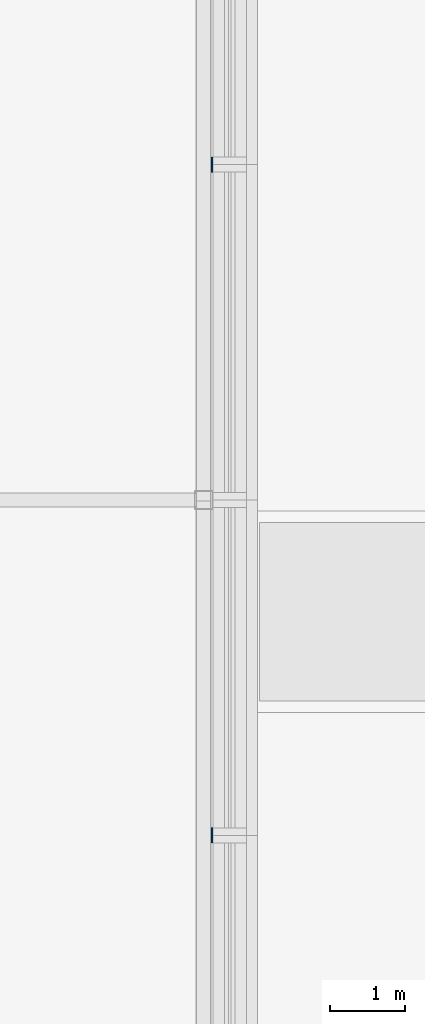
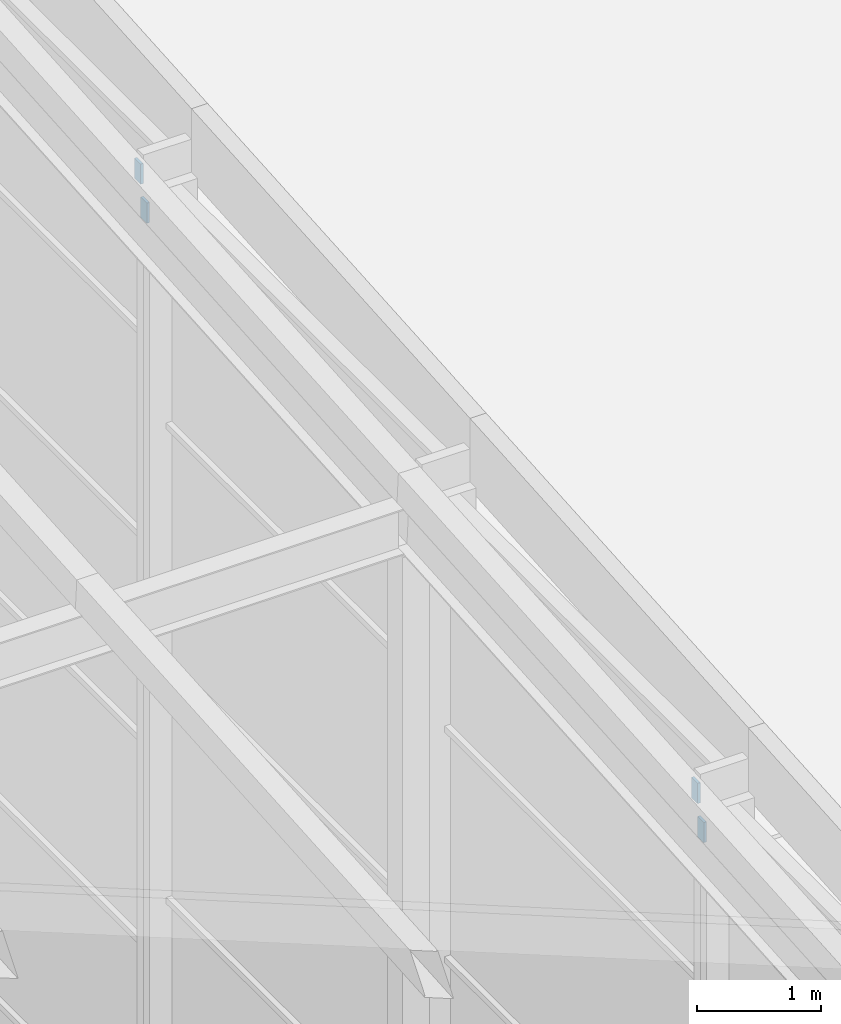
# One storey, part 70 of 84: 4 discrete accessories.
"""IFC4 building model written with IfcOpenShell, lengths in metres."""

import ifcopenshell
import ifcopenshell.guid

model = None  # the IFC model being written
_history = None  # IfcOwnerHistory: only IFC2X3 demands one
_inside = {}  # id of a spatial element -> (the spatial element, [elements in it])
_under = {}  # id of a project, library or spatial element -> (it, [spatial elements below it])
_declared = {}  # id of a project -> (the project, [libraries it declares])
_typed = {}  # id of a type object -> (the type object, [elements of that type])
_made_of = {}  # id of a material, layer set ... -> (it, [elements and type objects made of it])


def new_model(schema):
    """Start an empty IFC model of exactly this schema.

    Asked for "IFC4X3", IfcOpenShell would pick the latest addendum, in which some entities
    have other attributes; the version numbers below select the first issue.
    IFC2X3 requires an IfcOwnerHistory on every rooted entity: one is made here for all.
    """
    global model, _history
    if schema == "IFC4X3":
        model = ifcopenshell.file(schema_version=(4, 3, 0, 0))
    else:
        model = ifcopenshell.file(schema=schema)
    _inside.clear()
    _under.clear()
    _declared.clear()
    _typed.clear()
    _made_of.clear()
    _history = None
    if model.schema == "IFC2X3":
        org = make("IfcOrganization", Name="unknown")
        user = make(
            "IfcPersonAndOrganization",
            ThePerson=make("IfcPerson", FamilyName="unknown"),
            TheOrganization=org,
        )
        app = make(
            "IfcApplication",
            ApplicationDeveloper=org,
            Version="unknown",
            ApplicationFullName="unknown",
            ApplicationIdentifier="unknown",
        )
        _history = make(
            "IfcOwnerHistory",
            OwningUser=user,
            OwningApplication=app,
            ChangeAction="ADDED",
            CreationDate=0,
        )
    return model


def make(cls, **values):
    """One entity of the class cls with the attributes given. An attribute that is None is left unset."""
    return model.create_entity(
        cls, **{name: value for name, value in values.items() if value is not None}
    )


def rooted(cls, **values):
    """An entity with a GlobalId (a new one), such as an element, a storey or a relation."""
    return make(cls, GlobalId=ifcopenshell.guid.new(), OwnerHistory=_history, **values)


def si_unit(unit_type, name, prefix=None):
    """IfcSIUnit, for example si_unit("LENGTHUNIT", "METRE", prefix="MILLI")."""
    return make("IfcSIUnit", UnitType=unit_type, Prefix=prefix, Name=name)


def assignment(units):
    """IfcUnitAssignment: the units of a project."""
    return None if units is None else make("IfcUnitAssignment", Units=units)


def point(xyz):
    """IfcCartesianPoint."""
    return None if xyz is None else make("IfcCartesianPoint", Coordinates=xyz)


def direction(xyz):
    """IfcDirection."""
    return None if xyz is None else make("IfcDirection", DirectionRatios=xyz)


def frame(location, z_axis=None, x_axis=None):
    """IfcAxis2Placement3D, a coordinate frame: its origin and axes. An axis left out is left unset."""
    return make(
        "IfcAxis2Placement3D",
        Location=point(location),
        Axis=direction(z_axis),
        RefDirection=direction(x_axis),
    )


def frame_2d(location, x_axis=None):
    """IfcAxis2Placement2D, a coordinate frame in the plane: its origin and x axis."""
    return make(
        "IfcAxis2Placement2D", Location=point(location), RefDirection=direction(x_axis)
    )


def origin():
    """The frame at (0, 0, 0) with its axes left unset."""
    return frame((0.0, 0.0, 0.0))


def origin_2d():
    """The frame at (0, 0) in the plane with its x axis left unset."""
    return frame_2d((0.0, 0.0))


def place(relative_to, where):
    """IfcLocalPlacement: puts the frame where relative to a parent placement (None: the world)."""
    return make(
        "IfcLocalPlacement", PlacementRelTo=relative_to, RelativePlacement=where
    )


def context(
    kind, dimensions, precision=None, world=None, true_north=None, identifier=None
):
    """IfcGeometricRepresentationContext, for example the 3D "Model" context."""
    return make(
        "IfcGeometricRepresentationContext",
        ContextIdentifier=identifier,
        ContextType=kind,
        CoordinateSpaceDimension=dimensions,
        Precision=precision,
        WorldCoordinateSystem=world,
        TrueNorth=true_north,
    )


def subcontext(parent, identifier, kind, view, scale=None):
    """IfcGeometricRepresentationSubContext, for example "Body" below "Model"."""
    return make(
        "IfcGeometricRepresentationSubContext",
        ContextIdentifier=identifier,
        ContextType=kind,
        ParentContext=parent,
        TargetScale=scale,
        TargetView=view,
    )


def project(units=None, contexts=None):
    """IfcProject with its units and contexts."""
    return rooted(
        "IfcProject",
        Name="project",
        RepresentationContexts=contexts,
        UnitsInContext=assignment(units),
    )


def spatial(cls, under=None, at=None, **own):
    """A site, building, storey or space (cls), placed at a placement, below another one or the project."""
    s = rooted(cls, ObjectPlacement=at, **own)
    if under is not None:
        _under.setdefault(under.id(), (under, []))[1].append(s)
    return s


def profile(cls, at=None, kind="AREA", **sizes):
    """A parametric profile (cls). Its sizes go by their IFC names, for example OverallWidth=200.0."""
    return make(cls, ProfileType=kind, Position=at, **sizes)


def rectangle(**sizes):
    """IfcRectangleProfileDef."""
    return profile("IfcRectangleProfileDef", **sizes)


def extrude(swept, where, along, depth):
    """IfcExtrudedAreaSolid: the profile swept, set in the frame where, extruded along a direction by depth."""
    return make(
        "IfcExtrudedAreaSolid",
        SweptArea=swept,
        Position=where,
        ExtrudedDirection=direction(along),
        Depth=depth,
    )


def shape(context_of_items, identifier, shape_type, items):
    """IfcShapeRepresentation: the items that make up one representation, for example the "Body"."""
    return make(
        "IfcShapeRepresentation",
        ContextOfItems=context_of_items,
        RepresentationIdentifier=identifier,
        RepresentationType=shape_type,
        Items=items,
    )


def material(Name=None, Category=None):
    """IfcMaterial."""
    return make("IfcMaterial", Name=Name, Category=Category)


def made_of(thing, what):
    """Note that an element or type object is made of a material, layer set ...; save() writes the relation."""
    if what is not None:
        _made_of.setdefault(what.id(), (what, []))[1].append(thing)
    return thing


def type_object(cls, material=None, **own):
    """A type object (cls), such as IfcWallType, which elements share."""
    return made_of(rooted(cls, **own), material)


def element(
    cls,
    number,
    at=None,
    inside=None,
    cuts=None,
    type_object=None,
    material=None,
    context=None,
    identifier="Body",
    shape_type=None,
    held_by="IfcProductDefinitionShape",
    body=None,
    shapes=None,
    **own,
):
    """One element of the class cls, such as IfcWall. Its Tag is "e" and its number.

    at: its placement. inside: the storey or other place that contains it. cuts: it is an
    opening in that element (IfcRelVoidsElement). A single representation is given by context,
    identifier, shape_type and body (its items); several are given by shapes. held_by: the class
    of the entity that holds the representations. save() writes the other relations.
    """
    e = rooted(cls, Tag="e%d" % number, ObjectPlacement=at, **own)
    if body is not None:
        shapes = [shape(context, identifier, shape_type, body)]
    if shapes is not None:
        e.Representation = make(held_by, Representations=shapes)
    if inside is not None:
        _inside.setdefault(inside.id(), (inside, []))[1].append(e)
    if cuts is not None:
        rooted(
            "IfcRelVoidsElement", RelatingBuildingElement=cuts, RelatedOpeningElement=e
        )
    if type_object is not None:
        _typed.setdefault(type_object.id(), (type_object, []))[1].append(e)
    return made_of(e, material)


def aggregate(whole, parts):
    """IfcRelAggregates: a whole, such as a stair, and the parts it consists of."""
    return rooted("IfcRelAggregates", RelatingObject=whole, RelatedObjects=parts)


def save(model, path):
    """Write the relations noted so far, then the file.

    IfcRelAggregates (storeys below a building ...), IfcRelContainedInSpatialStructure (elements
    in a storey), IfcRelDefinesByType, IfcRelAssociatesMaterial and IfcRelDeclares: one each for
    every whole, place, type object, material and project.
    """
    for whole, parts in _under.values():
        aggregate(whole, parts)
    for where, things in _inside.values():
        rooted(
            "IfcRelContainedInSpatialStructure",
            RelatedElements=things,
            RelatingStructure=where,
        )
    for kind, things in _typed.values():
        rooted("IfcRelDefinesByType", RelatedObjects=things, RelatingType=kind)
    for what, things in _made_of.values():
        rooted("IfcRelAssociatesMaterial", RelatedObjects=things, RelatingMaterial=what)
    for by, libraries in _declared.values():
        rooted("IfcRelDeclares", RelatingContext=by, RelatedDefinitions=libraries)
    model.write(path)


model = new_model("IFC4")

# Units and contexts
model_context = context("Model", 3, precision=1e-05, world=origin(), true_north=direction((0.0, 1.0)))
body_context = subcontext(model_context, "Body", "Model", "MODEL_VIEW")
ifc_project = project(units=[si_unit("LENGTHUNIT", "METRE"), si_unit("AREAUNIT", "SQUARE_METRE"), si_unit("VOLUMEUNIT", "CUBIC_METRE"), si_unit("PLANEANGLEUNIT", "RADIAN"), si_unit("MASSUNIT", "GRAM", prefix="KILO")], contexts=[model_context])

# Site, building, storey
site_placement = place(None, origin())
site = spatial("IfcSite", under=ifc_project, at=site_placement, CompositionType="ELEMENT")
building_placement = place(site_placement, origin())
building = spatial("IfcBuilding", under=site, at=building_placement, Name="Silverbay Arena", CompositionType="ELEMENT")
storey_placement = place(building_placement, frame((0.0, 0.0, 47.10009765625)))
storey = spatial("IfcBuildingStorey", under=building, at=storey_placement, Name="ROOF", CompositionType="ELEMENT", Elevation=47.10009765625)

# Discrete accessories
ifc_material = material(Name="Steel S355", Category="steel")
discrete_accessory_type = type_object("IfcDiscreteAccessoryType", Name="Steel bracket plate", PredefinedType="BRACKET", material=ifc_material)
for number, where, z_axis, x_axis, name in (
    (1, (180.112548828125, 67.449951171875, 11.2197265625), (0.0, 0.0, 1.0), (1.0, 0.0, 0.0), "Curtain wall packing plate"),
    (2, (180.112548828125, 67.550048828125, 11.544921875), (0.0, 0.0, 1.0), (1.0, 0.0, 0.0), "Curtain wall packing plate"),
    (3, (180.112548828125, 76.449951171875, 11.8701171875), (0.0, 0.0, 1.0), (1.0, 0.0, 0.0), "Curtain wall packing plate"),
    (4, (180.112548828125, 76.550048828125, 12.19482421875), (0.0, 0.0, 1.0), (1.0, 0.0, 0.0), "Curtain wall packing plate"),
):
    element("IfcDiscreteAccessory", number, at=place(storey_placement, frame(where, z_axis=z_axis, x_axis=x_axis)), inside=storey, type_object=discrete_accessory_type, Name=name, PredefinedType="BRACKET", context=body_context, shape_type="SweptSolid", body=[
        extrude(rectangle(XDim=0.02490234375, YDim=0.10009765625, at=origin_2d()), origin(), (0.0, 0.0, 1.0), 0.199951171875),
    ])

save(model, "model.ifc")
